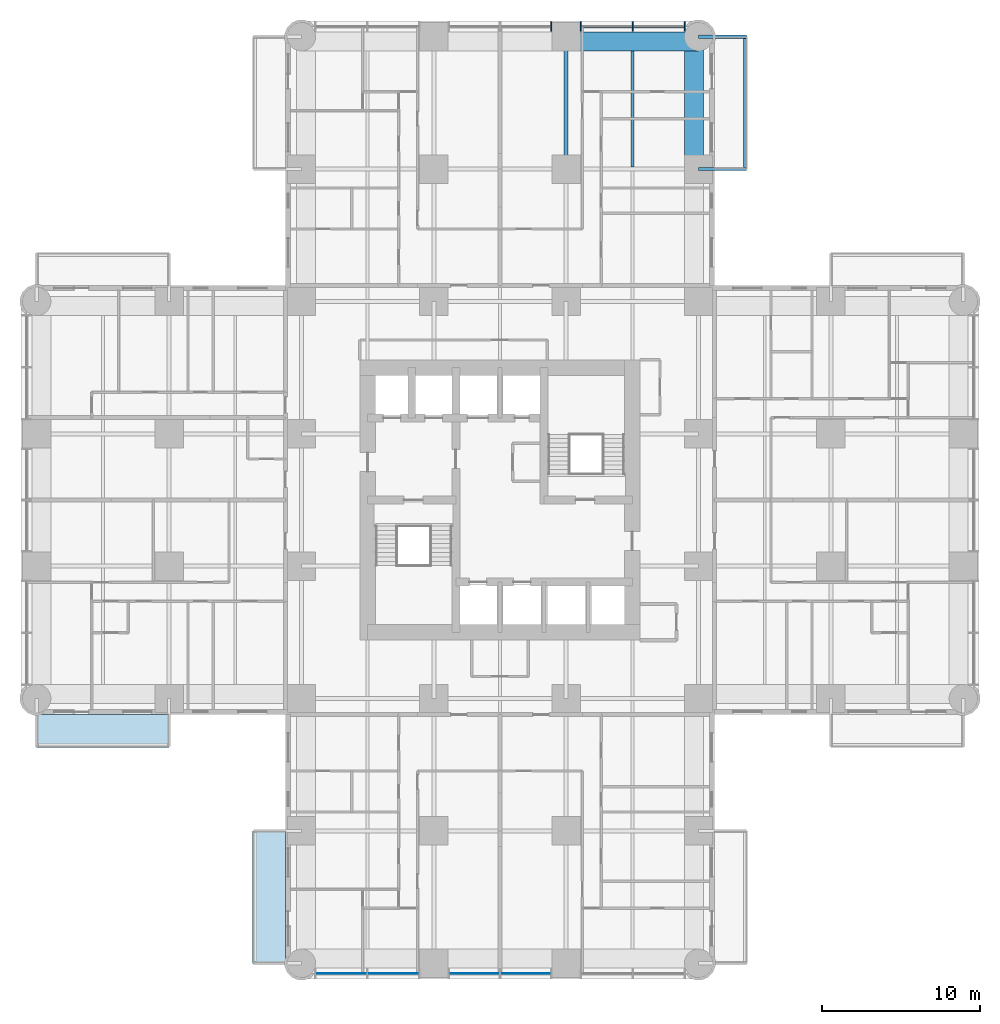
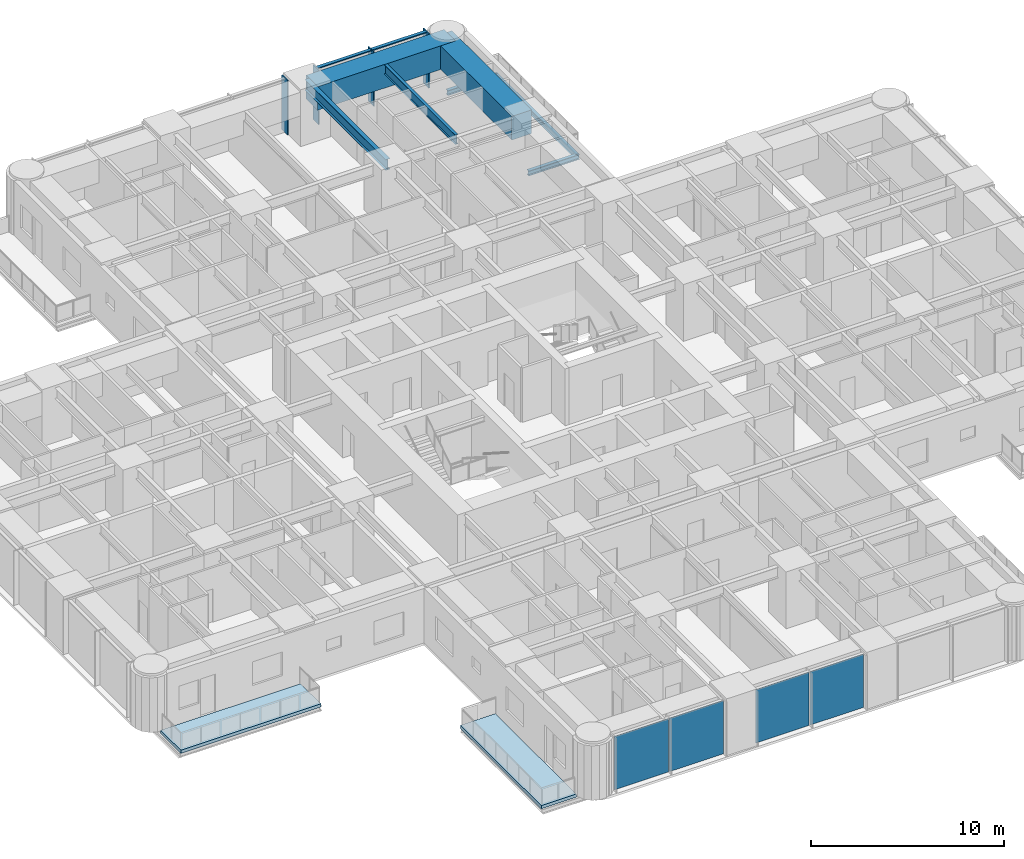
# One storey, part 5 of 17: 7 beams, 6 members, 4 plates, 2 slabs, 2 elements without a shape of their own.
"""IFC4 building model written with IfcOpenShell, lengths in metres."""

from ifc_helpers import new_model, si_unit, direction, frame, origin, origin_2d, place, context, subcontext, project, spatial, polyline, rectangle, i_section, outline, extrude, material, layer, layer_set, material_profile, profile_set, type_object, element, aggregate, save


model = new_model("IFC4")

# Units and contexts
model_context = context("Model", 3, precision=1e-05, world=origin(), true_north=direction((0.0, 1.0)))
body_context = subcontext(model_context, "Body", "Model", "MODEL_VIEW")
ifc_project = project(units=[si_unit("LENGTHUNIT", "METRE"), si_unit("AREAUNIT", "SQUARE_METRE"), si_unit("VOLUMEUNIT", "CUBIC_METRE"), si_unit("PLANEANGLEUNIT", "RADIAN"), si_unit("MASSUNIT", "GRAM", prefix="KILO")], contexts=[model_context])

# Site, building, storey
site_placement = place(None, origin())
site = spatial("IfcSite", under=ifc_project, at=site_placement, CompositionType="ELEMENT")
building_placement = place(site_placement, origin())
building = spatial("IfcBuilding", under=site, at=building_placement, Name="Torre Alcanfor", CompositionType="ELEMENT")
storey_placement = place(building_placement, frame((0.0, 0.0, 45.300048828125)))
storey = spatial("IfcBuildingStorey", under=building, at=storey_placement, Name="L10", CompositionType="ELEMENT", Elevation=45.300048828125)

# Beams
ifc_material_1 = material(Name="Steel ASTM A992 Grade 50", Category="steel")
ifc_material_profile_1 = material_profile(ifc_material_1, i_section(OverallWidth=0.205322265625, OverallDepth=0.309814453125, WebThickness=0.00927734375, FlangeThickness=0.016357421875, at=origin_2d()), Name="W12x50")
ifc_profile_set_1 = profile_set([ifc_material_profile_1], Name="Steel ASTM A992 Grade 50")
beam_type_1 = type_object("IfcBeamType", Name="Balcony cantilever beam W12x50", PredefinedType="BEAM", material=ifc_profile_set_1)
for number, where, z_axis, x_axis, name in (
    (1, (42.0, 50.39990234375, -0.35498046875), (1.0, 0.0, 0.0), (0.0, 1.0, 0.0), "Balcony cantilever beam L10-N2 1"),
    (2, (42.0, 58.800048828125, -0.35498046875), (1.0, 0.0, 0.0), (0.0, 1.0, 0.0), "Balcony cantilever beam L10-N2 2"),
):
    element("IfcBeam", number, at=place(storey_placement, frame(where, z_axis=z_axis, x_axis=x_axis)), inside=storey, type_object=beam_type_1, Name=name, PredefinedType="BEAM", context=body_context, shape_type="SweptSolid", body=[
        extrude(i_section(OverallWidth=0.205322265625, OverallDepth=0.309814453125, WebThickness=0.00927734375, FlangeThickness=0.016357421875, at=origin_2d()), origin(), (0.0, 0.0, 1.0), 3.050048828125),
    ])
ifc_material_2 = material(Name="Steel ASTM A992 Grade 50", Category="steel")
ifc_material_profile_2 = material_profile(ifc_material_2, i_section(OverallWidth=0.203369140625, OverallDepth=0.30224609375, WebThickness=0.007568359375, FlangeThickness=0.01318359375, at=origin_2d()), Name="W12x40")
ifc_profile_set_2 = profile_set([ifc_material_profile_2], Name="Steel ASTM A992 Grade 50")
beam_type_2 = type_object("IfcBeamType", Name="Balcony edge trimmer W12x40", PredefinedType="BEAM", material=ifc_profile_set_2)
beam_1_placement = place(storey_placement, frame((44.9482421875, 50.39990234375, -0.35107421875), z_axis=(0.0, 1.0, 0.0), x_axis=(-1.0, 0.0, 0.0)))
element("IfcBeam", 3, at=beam_1_placement, inside=storey, type_object=beam_type_2, Name="Balcony edge trimmer L10-N2", PredefinedType="BEAM", context=body_context, shape_type="SweptSolid", body=[
    extrude(i_section(OverallWidth=0.203369140625, OverallDepth=0.30224609375, WebThickness=0.007568359375, FlangeThickness=0.01318359375, at=origin_2d()), origin(), (0.0, 0.0, 1.0), 8.400146484375),
])

# Curtain wall, members
ifc_material_3 = material(Name="Aluminium and glass", Category="aluminium")
curtain_wall_type = type_object("IfcCurtainWallType", Name="CW-A unitised apartment glazing with vertical FIN", PredefinedType="NOTDEFINED", material=ifc_material_3)
curtain_wall_1_placement = place(storey_placement, origin())
curtain_wall_1 = element("IfcCurtainWall", 4, at=curtain_wall_1_placement, inside=storey, type_object=curtain_wall_type, Name="Curtain wall CW-A L10 11", PredefinedType="NOTDEFINED")
ifc_material_4 = material(Name="Bronze anodised aluminium", Category="aluminium")
ifc_material_profile_3 = material_profile(ifc_material_4, rectangle(XDim=0.60009765625, YDim=0.06494140625, at=origin_2d()), Name="CW-A mullion 65x600")
ifc_profile_set_3 = profile_set([ifc_material_profile_3], Name="Bronze anodised aluminium")
member_type_1 = type_object("IfcMemberType", Name="CW-A mullion with vertical FIN 65x600", PredefinedType="MULLION", material=ifc_profile_set_3)
member_1_placement = place(storey_placement, frame((41.133056640625, 59.449951171875, 0.0), z_axis=(0.0, 0.0, 1.0), x_axis=(0.0, -1.0, 0.0)))
member_1 = element("IfcMember", 5, at=member_1_placement, type_object=member_type_1, Name="CW-A mullion 1.1", PredefinedType="MULLION", context=body_context, shape_type="SweptSolid", body=[
    extrude(rectangle(XDim=0.60009765625, YDim=0.06494140625, at=origin_2d()), origin(), (0.0, 0.0, 1.0), 3.449951171875),
])
member_2_placement = place(storey_placement, frame((37.835205078125, 59.449951171875, 0.0), z_axis=(0.0, 0.0, 1.0), x_axis=(0.0, -1.0, 0.0)))
member_2 = element("IfcMember", 6, at=member_2_placement, type_object=member_type_1, Name="CW-A mullion 1.2", PredefinedType="MULLION", context=body_context, shape_type="SweptSolid", body=[
    extrude(rectangle(XDim=0.60009765625, YDim=0.06494140625, at=origin_2d()), origin(), (0.0, 0.0, 1.0), 3.449951171875),
])
member_3_placement = place(storey_placement, frame((34.53759765625, 59.449951171875, 0.0), z_axis=(0.0, 0.0, 1.0), x_axis=(0.0, -1.0, 0.0)))
member_3 = element("IfcMember", 7, at=member_3_placement, type_object=member_type_1, Name="CW-A mullion 1.3", PredefinedType="MULLION", context=body_context, shape_type="SweptSolid", body=[
    extrude(rectangle(XDim=0.60009765625, YDim=0.06494140625, at=origin_2d()), origin(), (0.0, 0.0, 1.0), 3.449951171875),
])
member_4_placement = place(storey_placement, frame((32.66259765625, 59.449951171875, 0.0), z_axis=(0.0, 0.0, 1.0), x_axis=(0.0, -1.0, 0.0)))
member_4 = element("IfcMember", 8, at=member_4_placement, type_object=member_type_1, Name="CW-A mullion 2.1", PredefinedType="MULLION", context=body_context, shape_type="SweptSolid", body=[
    extrude(rectangle(XDim=0.60009765625, YDim=0.06494140625, at=origin_2d()), origin(), (0.0, 0.0, 1.0), 3.449951171875),
])
ifc_material_5 = material(Name="Extruded aluminium", Category="aluminium")
ifc_material_profile_4 = material_profile(ifc_material_5, rectangle(XDim=0.199951171875, YDim=0.06494140625, at=origin_2d()), Name="CW-A transom 200x65")
ifc_profile_set_4 = profile_set([ifc_material_profile_4], Name="Extruded aluminium")
member_type_2 = type_object("IfcMemberType", Name="CW-A transom 65x200", PredefinedType="USERDEFINED", material=ifc_profile_set_4)
member_5_placement = place(storey_placement, frame((41.1005859375, 59.449951171875, 3.41748046875), z_axis=(-1.0, 0.0, 0.0), x_axis=(0.0, -1.0, 0.0)))
member_5 = element("IfcMember", 9, at=member_5_placement, type_object=member_type_2, Name="CW-A transom 1.1.2", ObjectType="TRANSOM", PredefinedType="USERDEFINED", context=body_context, shape_type="SweptSolid", body=[
    extrude(rectangle(XDim=0.199951171875, YDim=0.06494140625, at=origin_2d()), origin(), (0.0, 0.0, 1.0), 3.23291015625),
])
member_6_placement = place(storey_placement, frame((37.802734375, 59.449951171875, 3.41748046875), z_axis=(-1.0, 0.0, 0.0), x_axis=(0.0, -1.0, 0.0)))
member_6 = element("IfcMember", 10, at=member_6_placement, type_object=member_type_2, Name="CW-A transom 1.2.2", ObjectType="TRANSOM", PredefinedType="USERDEFINED", context=body_context, shape_type="SweptSolid", body=[
    extrude(rectangle(XDim=0.199951171875, YDim=0.06494140625, at=origin_2d()), origin(), (0.0, 0.0, 1.0), 3.232666015625),
])
aggregate(curtain_wall_1, [member_1, member_2, member_3, member_5, member_6, member_4])

# Beams
ifc_material_6 = material(Name="Steel ASTM A992 Grade 50", Category="steel")
ifc_material_profile_5 = material_profile(ifc_material_6, i_section(OverallWidth=0.25390625, OverallDepth=0.683349609375, WebThickness=0.012451171875, FlangeThickness=0.01904296875, at=origin_2d()), Name="W27x94")
ifc_profile_set_5 = profile_set([ifc_material_profile_5], Name="Steel ASTM A992 Grade 50")
beam_type_3 = type_object("IfcBeamType", Name="Girder W27x94", PredefinedType="BEAM", material=ifc_profile_set_5)
beam_2_placement = place(storey_placement, frame((33.60009765625, 50.39990234375, 3.1083984375), z_axis=(0.0, 1.0, 0.0), x_axis=(-1.0, 0.0, 0.0)))
element("IfcBeam", 11, at=beam_2_placement, inside=storey, type_object=beam_type_3, Name="Beam 5J-5K under L11", PredefinedType="BEAM", context=body_context, shape_type="SweptSolid", body=[
    extrude(i_section(OverallWidth=0.25390625, OverallDepth=0.683349609375, WebThickness=0.012451171875, FlangeThickness=0.01904296875, at=origin_2d()), origin(), (0.0, 0.0, 1.0), 8.400146484375),
])
ifc_material_7 = material(Name="Concrete f'c 70 MPa", Category="concrete")
ifc_material_profile_6 = material_profile(ifc_material_7, rectangle(XDim=1.199951171875, YDim=1.5, at=origin_2d()), Name="1200x1500")
ifc_profile_set_6 = profile_set([ifc_material_profile_6], Name="Concrete f'c 70 MPa")
beam_type_4 = type_object("IfcBeamType", Name="RC perimeter beam 1200x1500", PredefinedType="BEAM", material=ifc_profile_set_6)
for number, where, z_axis, x_axis, name in (
    (12, (33.72705078125, 58.5, 2.699951171875), (1.0, 0.0, 0.0), (0.0, 1.0, 0.0), "Beam 5K-6K under L11"),
    (13, (41.699951171875, 50.527099609375, 2.699951171875), (0.0, 1.0, 0.0), (-1.0, 0.0, 0.0), "Beam 6J-6K under L11"),
):
    element("IfcBeam", number, at=place(storey_placement, frame(where, z_axis=z_axis, x_axis=x_axis)), inside=storey, type_object=beam_type_4, Name=name, PredefinedType="BEAM", context=body_context, shape_type="SweptSolid", body=[
        extrude(rectangle(XDim=1.199951171875, YDim=1.5, at=origin_2d()), origin(), (0.0, 0.0, 1.0), 8.27294921875),
    ])
ifc_material_8 = material(Name="Steel ASTM A992 Grade 50", Category="steel")
ifc_material_profile_7 = material_profile(ifc_material_8, i_section(OverallWidth=0.1787109375, OverallDepth=0.60205078125, WebThickness=0.010986328125, FlangeThickness=0.014892578125, at=origin_2d()), Name="W24x62")
ifc_profile_set_7 = profile_set([ifc_material_profile_7], Name="Steel ASTM A992 Grade 50")
beam_type_5 = type_object("IfcBeamType", Name="Secondary beam W24x62", PredefinedType="BEAM", material=ifc_profile_set_7)
beam_3_placement = place(storey_placement, frame((37.800048828125, 50.527099609375, 3.14892578125), z_axis=(0.0, 1.0, 0.0), x_axis=(-1.0, 0.0, 0.0)))
element("IfcBeam", 14, at=beam_3_placement, inside=storey, type_object=beam_type_5, Name="Beam 37_8J-37_8K under L11", PredefinedType="BEAM", context=body_context, shape_type="SweptSolid", body=[
    extrude(i_section(OverallWidth=0.1787109375, OverallDepth=0.60205078125, WebThickness=0.010986328125, FlangeThickness=0.014892578125, at=origin_2d()), origin(), (0.0, 0.0, 1.0), 7.372802734375),
])

# Slabs
ifc_material_9 = material(Name="Concrete f'c 35 MPa", Category="concrete")
ifc_layer_1 = layer(ifc_material_9, 0.199951171875)
ifc_layer_set_1 = layer_set([ifc_layer_1], Name="Balcony slab 200")
slab_type = type_object("IfcSlabType", Name="Balcony slab 200", PredefinedType="FLOOR", material=ifc_layer_set_1)
slab_1_placement = place(storey_placement, frame((0.0, 0.0, -0.199951171875)))
element("IfcSlab", 15, at=slab_1_placement, inside=storey, type_object=slab_type, Name="Balcony L10-S2", PredefinedType="FLOOR", context=body_context, shape_type="SweptSolid", body=[
    extrude(outline(polyline([(13.699951171875, 8.39990234375), (13.699951171875, 0.0), (15.800048828125, 0.0), (15.800048828125, 8.39990234375), (13.699951171875, 8.39990234375)])), origin(), (0.0, 0.0, 1.0), 0.199951171875),
])
slab_2_placement = place(storey_placement, frame((0.0, 0.0, -0.199951171875)))
element("IfcSlab", 16, at=slab_2_placement, inside=storey, type_object=slab_type, Name="Balcony L10-W1", PredefinedType="FLOOR", context=body_context, shape_type="SweptSolid", body=[
    extrude(outline(polyline([(8.39990234375, 15.800048828125), (0.0, 15.800048828125), (0.0, 13.699951171875), (8.39990234375, 13.699951171875), (8.39990234375, 15.800048828125)])), origin(), (0.0, 0.0, 1.0), 0.199951171875),
])

# Curtain wall, plates
curtain_wall_2_placement = place(storey_placement, origin())
curtain_wall_2 = element("IfcCurtainWall", 17, at=curtain_wall_2_placement, inside=storey, type_object=curtain_wall_type, Name="Curtain wall CW-A L10 5", PredefinedType="NOTDEFINED")
ifc_material_10 = material(Name="Glass", Category="glass")
ifc_layer_2 = layer(ifc_material_10, 0.028076171875)
ifc_layer_set_2 = layer_set([ifc_layer_2], Name="CW-A clear double glazed unit")
plate_type = type_object("IfcPlateType", Name="CW-A clear double glazed unit", PredefinedType="CURTAIN_PANEL", material=ifc_layer_set_2)
plate_1_placement = place(storey_placement, frame((19.31591796875, -0.64990234375, 0.0), z_axis=(0.0, 0.0, 1.0), x_axis=(1.0, 0.0, 0.0)))
plate_1 = element("IfcPlate", 18, at=plate_1_placement, type_object=plate_type, Name="CW-A panel 1.1.1", PredefinedType="CURTAIN_PANEL", context=body_context, shape_type="SweptSolid", body=[
    extrude(rectangle(XDim=3.232666015625, YDim=0.028076171875, at=origin_2d()), origin(), (0.0, 0.0, 1.0), 3.385009765625),
])
plate_2_placement = place(storey_placement, frame((22.613525390625, -0.64990234375, 0.0), z_axis=(0.0, 0.0, 1.0), x_axis=(1.0, 0.0, 0.0)))
plate_2 = element("IfcPlate", 19, at=plate_2_placement, type_object=plate_type, Name="CW-A panel 1.2.1", PredefinedType="CURTAIN_PANEL", context=body_context, shape_type="SweptSolid", body=[
    extrude(rectangle(XDim=3.232666015625, YDim=0.028076171875, at=origin_2d()), origin(), (0.0, 0.0, 1.0), 3.385009765625),
])
plate_3_placement = place(storey_placement, frame((27.768798828125, -0.64990234375, 0.0), z_axis=(0.0, 0.0, 1.0), x_axis=(1.0, 0.0, 0.0)))
plate_3 = element("IfcPlate", 20, at=plate_3_placement, type_object=plate_type, Name="CW-A panel 2.1.1", PredefinedType="CURTAIN_PANEL", context=body_context, shape_type="SweptSolid", body=[
    extrude(rectangle(XDim=3.197509765625, YDim=0.028076171875, at=origin_2d()), origin(), (0.0, 0.0, 1.0), 3.385009765625),
])
plate_4_placement = place(storey_placement, frame((31.03125, -0.64990234375, 0.0), z_axis=(0.0, 0.0, 1.0), x_axis=(1.0, 0.0, 0.0)))
plate_4 = element("IfcPlate", 21, at=plate_4_placement, type_object=plate_type, Name="CW-A panel 2.2.1", PredefinedType="CURTAIN_PANEL", context=body_context, shape_type="SweptSolid", body=[
    extrude(rectangle(XDim=3.197509765625, YDim=0.028076171875, at=origin_2d()), origin(), (0.0, 0.0, 1.0), 3.385009765625),
])
aggregate(curtain_wall_2, [plate_1, plate_2, plate_3, plate_4])

save(model, "model.ifc")
